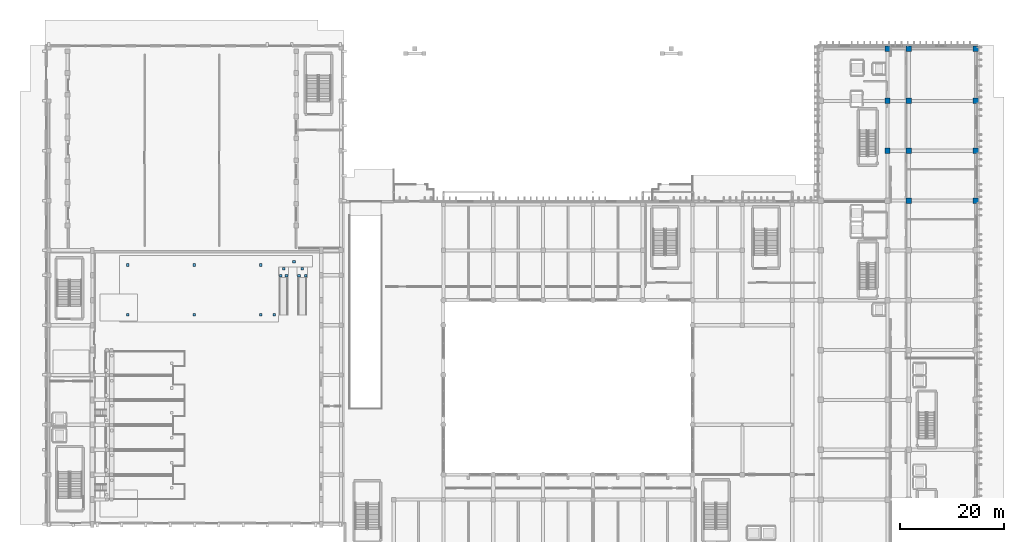
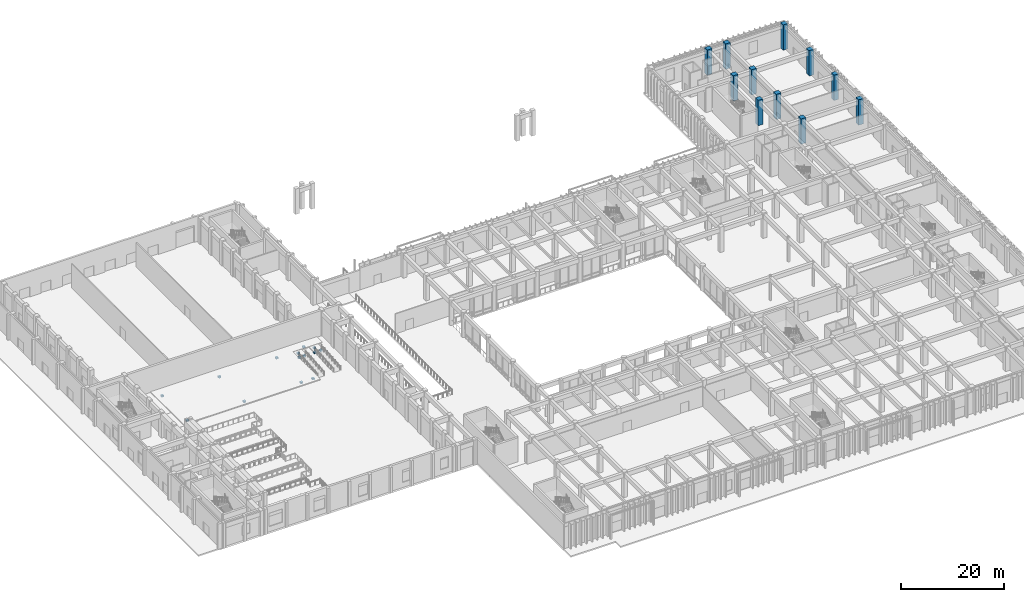
# One storey, part 14 of 87: 25 columns.
"""IFC4 building model written with IfcOpenShell, lengths in metres."""

from ifc_helpers import new_model, si_unit, direction, frame, origin, origin_2d, place, context, subcontext, project, spatial, rectangle, extrude, material, material_profile, profile_set, type_object, element, save


model = new_model("IFC4")

# Units and contexts
model_context = context("Model", 3, precision=1e-05, world=origin(), true_north=direction((0.0, 1.0)))
body_context = subcontext(model_context, "Body", "Model", "MODEL_VIEW")
ifc_project = project(units=[si_unit("LENGTHUNIT", "METRE"), si_unit("AREAUNIT", "SQUARE_METRE"), si_unit("VOLUMEUNIT", "CUBIC_METRE"), si_unit("PLANEANGLEUNIT", "RADIAN"), si_unit("MASSUNIT", "GRAM", prefix="KILO")], contexts=[model_context])

# Site, building, storey
site_placement = place(None, origin())
site = spatial("IfcSite", under=ifc_project, at=site_placement, CompositionType="ELEMENT")
building_placement = place(site_placement, origin())
building = spatial("IfcBuilding", under=site, at=building_placement, Name="Nakhvara Creek Congress Hotel", CompositionType="ELEMENT")
storey_placement = place(building_placement, origin())
storey = spatial("IfcBuildingStorey", under=building, at=storey_placement, Name="L00", CompositionType="ELEMENT", Elevation=0.0)

# Columns
ifc_material = material(Name="Concrete C50/60", Category="concrete")
ifc_material_profile_1 = material_profile(ifc_material, rectangle(XDim=1.050048828125, YDim=1.050048828125, at=origin_2d()), Name="RC-COL 1050x1050", Category="LoadBearing")
ifc_profile_set_1 = profile_set([ifc_material_profile_1], Name="Concrete C50/60")
column_type_1 = type_object("IfcColumnType", Name="COL-RC-1050", PredefinedType="COLUMN", material=ifc_profile_set_1)
for number, where, z_axis, x_axis, name in (
    (1, (162.35009765625, 105.60009765625, 0.0), (0.0, 0.0, 1.0), (1.0, 0.0, 0.0), "Column C16-L00-0781"),
    (2, (162.35009765625, 115.199951171875, 0.0), (0.0, 0.0, 1.0), (1.0, 0.0, 0.0), "Column C16-L00-0782"),
    (3, (162.35009765625, 125.25, 0.0), (0.0, 0.0, 1.0), (1.0, 0.0, 0.0), "Column C16-L00-0783"),
    (4, (166.449951171875, 96.0, 0.0), (0.0, 0.0, 1.0), (1.0, 0.0, 0.0), "Column C16-L00-0794"),
    (5, (166.449951171875, 105.60009765625, 0.0), (0.0, 0.0, 1.0), (1.0, 0.0, 0.0), "Column C16-L00-0795"),
    (6, (166.449951171875, 115.199951171875, 0.0), (0.0, 0.0, 1.0), (1.0, 0.0, 0.0), "Column C16-L00-0796"),
    (7, (166.449951171875, 125.25, 0.0), (0.0, 0.0, 1.0), (1.0, 0.0, 0.0), "Column C16-L00-0797"),
    (8, (179.35009765625, 96.0, 0.0), (0.0, 0.0, 1.0), (1.0, 0.0, 0.0), "Column C16-L00-0808"),
    (9, (179.35009765625, 105.60009765625, 0.0), (0.0, 0.0, 1.0), (1.0, 0.0, 0.0), "Column C16-L00-0809"),
    (10, (179.35009765625, 115.199951171875, 0.0), (0.0, 0.0, 1.0), (1.0, 0.0, 0.0), "Column C16-L00-0810"),
    (11, (179.35009765625, 125.25, 0.0), (0.0, 0.0, 1.0), (1.0, 0.0, 0.0), "Column C16-L00-0811"),
):
    element("IfcColumn", number, at=place(storey_placement, frame(where, z_axis=z_axis, x_axis=x_axis)), inside=storey, type_object=column_type_1, Name=name, PredefinedType="COLUMN", context=body_context, shape_type="SweptSolid", body=[
        extrude(rectangle(XDim=1.050048828125, YDim=1.050048828125, at=origin_2d()), origin(), (0.0, 0.0, 1.0), 6.0),
    ])
ifc_material_profile_2 = material_profile(ifc_material, rectangle(XDim=0.5, YDim=0.5, at=origin_2d()), Name="RC-COL 500x500", Category="LoadBearing")
ifc_profile_set_2 = profile_set([ifc_material_profile_2], Name="Concrete C50/60")
column_type_2 = type_object("IfcColumnType", Name="COL-RC-500", PredefinedType="COLUMN", material=ifc_profile_set_2)
for number, where, z_axis, x_axis, name in (
    (12, (45.449951171875, 81.550048828125, 0.0), (0.0, 0.0, 1.0), (1.0, 0.0, 0.0), "Ramp Landing Support Pier PR03-1"),
    (13, (46.550048828125, 81.550048828125, 0.0), (0.0, 0.0, 1.0), (1.0, 0.0, 0.0), "Ramp Landing Support Pier PR03-2"),
    (14, (46.0, 82.85009765625, 0.0), (0.0, 0.0, 1.0), (1.0, 0.0, 0.0), "Ramp Landing Support Pier PR03-3"),
    (15, (48.949951171875, 81.550048828125, 0.0), (0.0, 0.0, 1.0), (1.0, 0.0, 0.0), "Ramp Landing Support Pier PR05-1"),
    (16, (50.25, 81.550048828125, 0.0), (0.0, 0.0, 1.0), (1.0, 0.0, 0.0), "Ramp Landing Support Pier PR05-2"),
    (17, (49.60009765625, 82.85009765625, 0.0), (0.0, 0.0, 1.0), (1.0, 0.0, 0.0), "Ramp Landing Support Pier PR05-3"),
    (18, (16.0, 74.0, 0.0), (0.0, 0.0, 1.0), (1.0, 0.0, 0.0), "Stage Plinth Support 16-74"),
    (19, (16.0, 83.60009765625, 0.0), (0.0, 0.0, 1.0), (1.0, 0.0, 0.0), "Stage Plinth Support 16-83"),
    (20, (28.800048828125, 74.0, 0.0), (0.0, 0.0, 1.0), (1.0, 0.0, 0.0), "Stage Plinth Support 28-74"),
    (21, (28.800048828125, 83.60009765625, 0.0), (0.0, 0.0, 1.0), (1.0, 0.0, 0.0), "Stage Plinth Support 28-83"),
    (22, (41.60009765625, 74.0, 0.0), (0.0, 0.0, 1.0), (1.0, 0.0, 0.0), "Stage Plinth Support 41-74"),
    (23, (41.60009765625, 83.60009765625, 0.0), (0.0, 0.0, 1.0), (1.0, 0.0, 0.0), "Stage Plinth Support 41-83"),
    (24, (44.199951171875, 74.0, 0.0), (0.0, 0.0, 1.0), (1.0, 0.0, 0.0), "Stage Plinth Support 44-74"),
    (25, (48.0, 84.199951171875, 0.0), (0.0, 0.0, 1.0), (1.0, 0.0, 0.0), "Stage Plinth Support 48-84"),
):
    element("IfcColumn", number, at=place(storey_placement, frame(where, z_axis=z_axis, x_axis=x_axis)), inside=storey, type_object=column_type_2, Name=name, PredefinedType="COLUMN", context=body_context, shape_type="SweptSolid", body=[
        extrude(rectangle(XDim=0.5, YDim=0.5, at=origin_2d()), origin(), (0.0, 0.0, 1.0), 0.3798828125),
    ])

save(model, "model.ifc")
